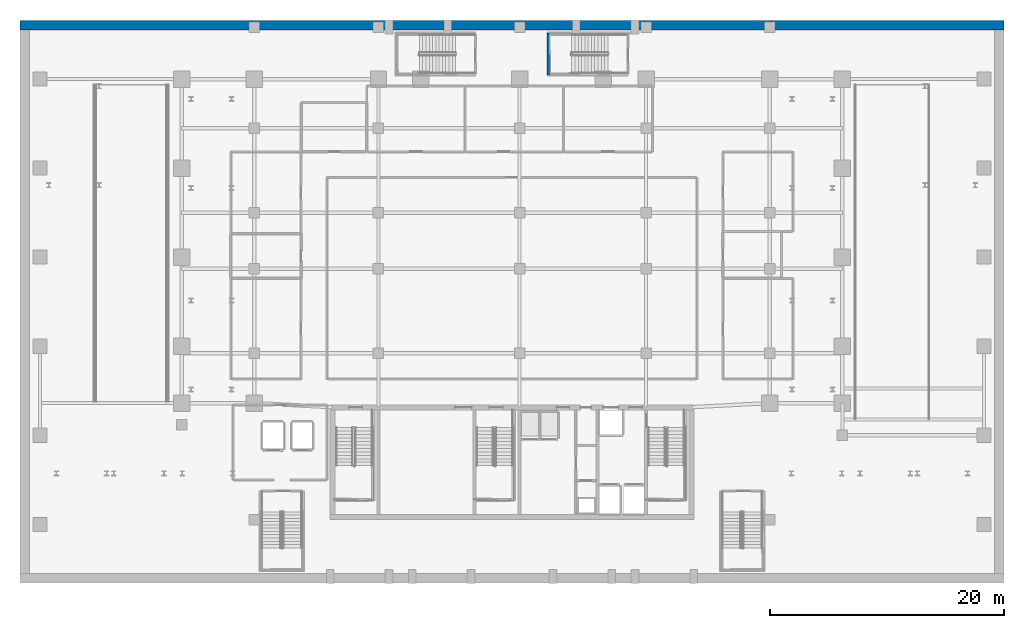
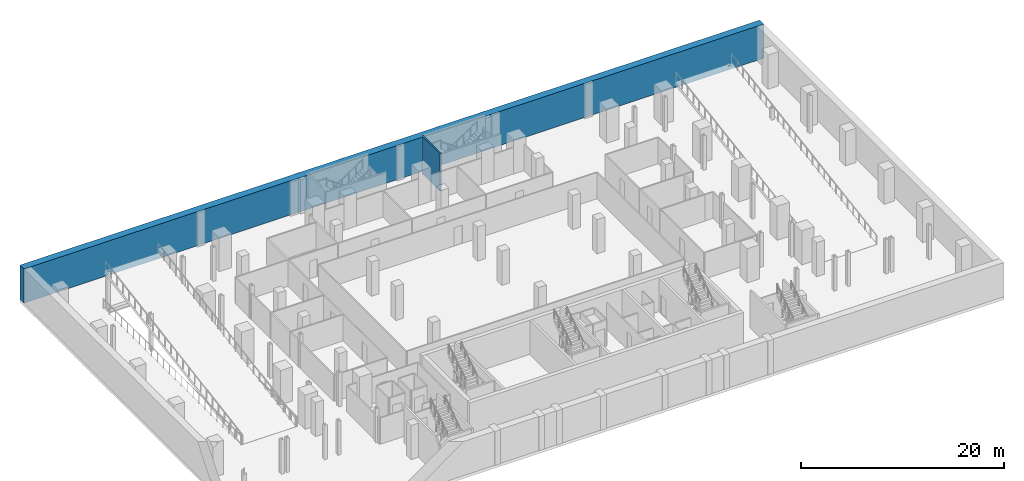
# One storey, part 11 of 18: 2 walls.
"""IFC4 building model written with IfcOpenShell, lengths in metres."""

import ifcopenshell
import ifcopenshell.guid

model = None  # the IFC model being written
_history = None  # IfcOwnerHistory: only IFC2X3 demands one
_inside = {}  # id of a spatial element -> (the spatial element, [elements in it])
_under = {}  # id of a project, library or spatial element -> (it, [spatial elements below it])
_declared = {}  # id of a project -> (the project, [libraries it declares])
_typed = {}  # id of a type object -> (the type object, [elements of that type])
_made_of = {}  # id of a material, layer set ... -> (it, [elements and type objects made of it])


def new_model(schema):
    """Start an empty IFC model of exactly this schema.

    Asked for "IFC4X3", IfcOpenShell would pick the latest addendum, in which some entities
    have other attributes; the version numbers below select the first issue.
    IFC2X3 requires an IfcOwnerHistory on every rooted entity: one is made here for all.
    """
    global model, _history
    if schema == "IFC4X3":
        model = ifcopenshell.file(schema_version=(4, 3, 0, 0))
    else:
        model = ifcopenshell.file(schema=schema)
    _inside.clear()
    _under.clear()
    _declared.clear()
    _typed.clear()
    _made_of.clear()
    _history = None
    if model.schema == "IFC2X3":
        org = make("IfcOrganization", Name="unknown")
        user = make(
            "IfcPersonAndOrganization",
            ThePerson=make("IfcPerson", FamilyName="unknown"),
            TheOrganization=org,
        )
        app = make(
            "IfcApplication",
            ApplicationDeveloper=org,
            Version="unknown",
            ApplicationFullName="unknown",
            ApplicationIdentifier="unknown",
        )
        _history = make(
            "IfcOwnerHistory",
            OwningUser=user,
            OwningApplication=app,
            ChangeAction="ADDED",
            CreationDate=0,
        )
    return model


def make(cls, **values):
    """One entity of the class cls with the attributes given. An attribute that is None is left unset."""
    return model.create_entity(
        cls, **{name: value for name, value in values.items() if value is not None}
    )


def rooted(cls, **values):
    """An entity with a GlobalId (a new one), such as an element, a storey or a relation."""
    return make(cls, GlobalId=ifcopenshell.guid.new(), OwnerHistory=_history, **values)


def si_unit(unit_type, name, prefix=None):
    """IfcSIUnit, for example si_unit("LENGTHUNIT", "METRE", prefix="MILLI")."""
    return make("IfcSIUnit", UnitType=unit_type, Prefix=prefix, Name=name)


def assignment(units):
    """IfcUnitAssignment: the units of a project."""
    return None if units is None else make("IfcUnitAssignment", Units=units)


def point(xyz):
    """IfcCartesianPoint."""
    return None if xyz is None else make("IfcCartesianPoint", Coordinates=xyz)


def direction(xyz):
    """IfcDirection."""
    return None if xyz is None else make("IfcDirection", DirectionRatios=xyz)


def frame(location, z_axis=None, x_axis=None):
    """IfcAxis2Placement3D, a coordinate frame: its origin and axes. An axis left out is left unset."""
    return make(
        "IfcAxis2Placement3D",
        Location=point(location),
        Axis=direction(z_axis),
        RefDirection=direction(x_axis),
    )


def frame_2d(location, x_axis=None):
    """IfcAxis2Placement2D, a coordinate frame in the plane: its origin and x axis."""
    return make(
        "IfcAxis2Placement2D", Location=point(location), RefDirection=direction(x_axis)
    )


def origin():
    """The frame at (0, 0, 0) with its axes left unset."""
    return frame((0.0, 0.0, 0.0))


def place(relative_to, where):
    """IfcLocalPlacement: puts the frame where relative to a parent placement (None: the world)."""
    return make(
        "IfcLocalPlacement", PlacementRelTo=relative_to, RelativePlacement=where
    )


def context(
    kind, dimensions, precision=None, world=None, true_north=None, identifier=None
):
    """IfcGeometricRepresentationContext, for example the 3D "Model" context."""
    return make(
        "IfcGeometricRepresentationContext",
        ContextIdentifier=identifier,
        ContextType=kind,
        CoordinateSpaceDimension=dimensions,
        Precision=precision,
        WorldCoordinateSystem=world,
        TrueNorth=true_north,
    )


def subcontext(parent, identifier, kind, view, scale=None):
    """IfcGeometricRepresentationSubContext, for example "Body" below "Model"."""
    return make(
        "IfcGeometricRepresentationSubContext",
        ContextIdentifier=identifier,
        ContextType=kind,
        ParentContext=parent,
        TargetScale=scale,
        TargetView=view,
    )


def project(units=None, contexts=None):
    """IfcProject with its units and contexts."""
    return rooted(
        "IfcProject",
        Name="project",
        RepresentationContexts=contexts,
        UnitsInContext=assignment(units),
    )


def spatial(cls, under=None, at=None, **own):
    """A site, building, storey or space (cls), placed at a placement, below another one or the project."""
    s = rooted(cls, ObjectPlacement=at, **own)
    if under is not None:
        _under.setdefault(under.id(), (under, []))[1].append(s)
    return s


def profile(cls, at=None, kind="AREA", **sizes):
    """A parametric profile (cls). Its sizes go by their IFC names, for example OverallWidth=200.0."""
    return make(cls, ProfileType=kind, Position=at, **sizes)


def rectangle(**sizes):
    """IfcRectangleProfileDef."""
    return profile("IfcRectangleProfileDef", **sizes)


def extrude(swept, where, along, depth):
    """IfcExtrudedAreaSolid: the profile swept, set in the frame where, extruded along a direction by depth."""
    return make(
        "IfcExtrudedAreaSolid",
        SweptArea=swept,
        Position=where,
        ExtrudedDirection=direction(along),
        Depth=depth,
    )


def shape(context_of_items, identifier, shape_type, items):
    """IfcShapeRepresentation: the items that make up one representation, for example the "Body"."""
    return make(
        "IfcShapeRepresentation",
        ContextOfItems=context_of_items,
        RepresentationIdentifier=identifier,
        RepresentationType=shape_type,
        Items=items,
    )


def material(Name=None, Category=None):
    """IfcMaterial."""
    return make("IfcMaterial", Name=Name, Category=Category)


def layer(
    of_material, thickness, ventilated=None, Name=None, Category=None, Priority=None
):
    """IfcMaterialLayer: one layer of a wall or slab, of a material (None: an air gap)."""
    return make(
        "IfcMaterialLayer",
        Material=of_material,
        LayerThickness=thickness,
        IsVentilated=ventilated,
        Name=Name,
        Category=Category,
        Priority=Priority,
    )


def layer_set(layers, Name=None):
    """IfcMaterialLayerSet."""
    return make("IfcMaterialLayerSet", MaterialLayers=layers, LayerSetName=Name)


def made_of(thing, what):
    """Note that an element or type object is made of a material, layer set ...; save() writes the relation."""
    if what is not None:
        _made_of.setdefault(what.id(), (what, []))[1].append(thing)
    return thing


def type_object(cls, material=None, **own):
    """A type object (cls), such as IfcWallType, which elements share."""
    return made_of(rooted(cls, **own), material)


def element(
    cls,
    number,
    at=None,
    inside=None,
    cuts=None,
    type_object=None,
    material=None,
    context=None,
    identifier="Body",
    shape_type=None,
    held_by="IfcProductDefinitionShape",
    body=None,
    shapes=None,
    **own,
):
    """One element of the class cls, such as IfcWall. Its Tag is "e" and its number.

    at: its placement. inside: the storey or other place that contains it. cuts: it is an
    opening in that element (IfcRelVoidsElement). A single representation is given by context,
    identifier, shape_type and body (its items); several are given by shapes. held_by: the class
    of the entity that holds the representations. save() writes the other relations.
    """
    e = rooted(cls, Tag="e%d" % number, ObjectPlacement=at, **own)
    if body is not None:
        shapes = [shape(context, identifier, shape_type, body)]
    if shapes is not None:
        e.Representation = make(held_by, Representations=shapes)
    if inside is not None:
        _inside.setdefault(inside.id(), (inside, []))[1].append(e)
    if cuts is not None:
        rooted(
            "IfcRelVoidsElement", RelatingBuildingElement=cuts, RelatedOpeningElement=e
        )
    if type_object is not None:
        _typed.setdefault(type_object.id(), (type_object, []))[1].append(e)
    return made_of(e, material)


def aggregate(whole, parts):
    """IfcRelAggregates: a whole, such as a stair, and the parts it consists of."""
    return rooted("IfcRelAggregates", RelatingObject=whole, RelatedObjects=parts)


def save(model, path):
    """Write the relations noted so far, then the file.

    IfcRelAggregates (storeys below a building ...), IfcRelContainedInSpatialStructure (elements
    in a storey), IfcRelDefinesByType, IfcRelAssociatesMaterial and IfcRelDeclares: one each for
    every whole, place, type object, material and project.
    """
    for whole, parts in _under.values():
        aggregate(whole, parts)
    for where, things in _inside.values():
        rooted(
            "IfcRelContainedInSpatialStructure",
            RelatedElements=things,
            RelatingStructure=where,
        )
    for kind, things in _typed.values():
        rooted("IfcRelDefinesByType", RelatedObjects=things, RelatingType=kind)
    for what, things in _made_of.values():
        rooted("IfcRelAssociatesMaterial", RelatedObjects=things, RelatingMaterial=what)
    for by, libraries in _declared.values():
        rooted("IfcRelDeclares", RelatingContext=by, RelatedDefinitions=libraries)
    model.write(path)


model = new_model("IFC4")

# Units and contexts
model_context = context("Model", 3, precision=1e-05, world=origin(), true_north=direction((0.0, 1.0)))
body_context = subcontext(model_context, "Body", "Model", "MODEL_VIEW")
ifc_project = project(units=[si_unit("LENGTHUNIT", "METRE"), si_unit("AREAUNIT", "SQUARE_METRE"), si_unit("VOLUMEUNIT", "CUBIC_METRE"), si_unit("PLANEANGLEUNIT", "RADIAN"), si_unit("MASSUNIT", "GRAM", prefix="KILO")], contexts=[model_context])

# Site, building, storey
site_placement = place(None, origin())
site = spatial("IfcSite", under=ifc_project, at=site_placement, CompositionType="ELEMENT")
building_placement = place(site_placement, origin())
building = spatial("IfcBuilding", under=site, at=building_placement, Name="Ndaravel Arena Tower", CompositionType="ELEMENT")
storey_placement = place(building_placement, frame((0.0, 0.0, -4.5)))
storey = spatial("IfcBuildingStorey", under=building, at=storey_placement, Name="B01", CompositionType="ELEMENT", Elevation=-4.5)

# Walls
ifc_material_1 = material(Name="Concrete C40/50", Category="concrete")
ifc_layer_1 = layer(ifc_material_1, 0.800048828125)
ifc_layer_set_1 = layer_set([ifc_layer_1], Name="Concrete C40/50")
wall_type_1 = type_object("IfcWallType", Name="WALL-DWALL-800", PredefinedType="USERDEFINED", material=ifc_layer_set_1)
wall_1_placement = place(storey_placement, frame((0.0, 47.60009765625, 0.0), z_axis=(0.0, 0.0, 1.0), x_axis=(1.0, 0.0, 0.0)))
element("IfcWall", 1, at=wall_1_placement, inside=storey, type_object=wall_type_1, Name="B01 North Diaphragm Wall", ObjectType="RETAININGWALL", PredefinedType="USERDEFINED", context=body_context, shape_type="SweptSolid", body=[
    extrude(rectangle(XDim=84.0, YDim=0.800048828125, at=frame_2d((42.0, 0.0))), origin(), (0.0, 0.0, 1.0), 4.10009765625),
])
ifc_material_2 = material(Name="Concrete C40/50", Category="concrete")
ifc_layer_2 = layer(ifc_material_2, 0.199951171875)
ifc_layer_set_2 = layer_set([ifc_layer_2], Name="Concrete C40/50")
wall_type_2 = type_object("IfcWallType", Name="WALL-SHAFT-200", PredefinedType="SOLIDWALL", material=ifc_layer_set_2)
wall_2_placement = place(storey_placement, frame((45.10009765625, 46.929931640625, 0.0), z_axis=(0.0, 0.0, 1.0), x_axis=(0.0, -1.0, 0.0)))
element("IfcWall", 2, at=wall_2_placement, inside=storey, type_object=wall_type_2, Name="B01 ST-B4 Shaft Wall Far", PredefinedType="SOLIDWALL", context=body_context, shape_type="SweptSolid", body=[
    extrude(rectangle(XDim=3.559814453125, YDim=0.199951171875, at=frame_2d((1.77978515625, 0.0))), origin(), (0.0, 0.0, 1.0), 4.5),
])

save(model, "model.ifc")
